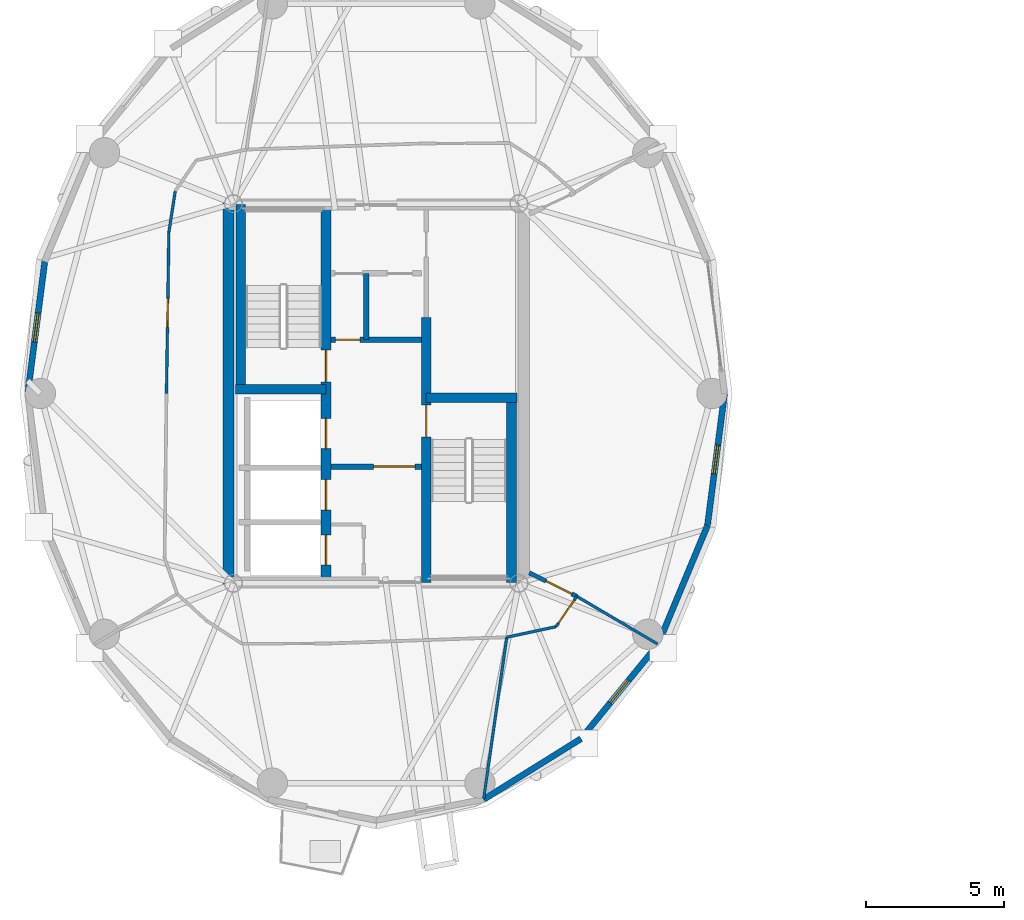
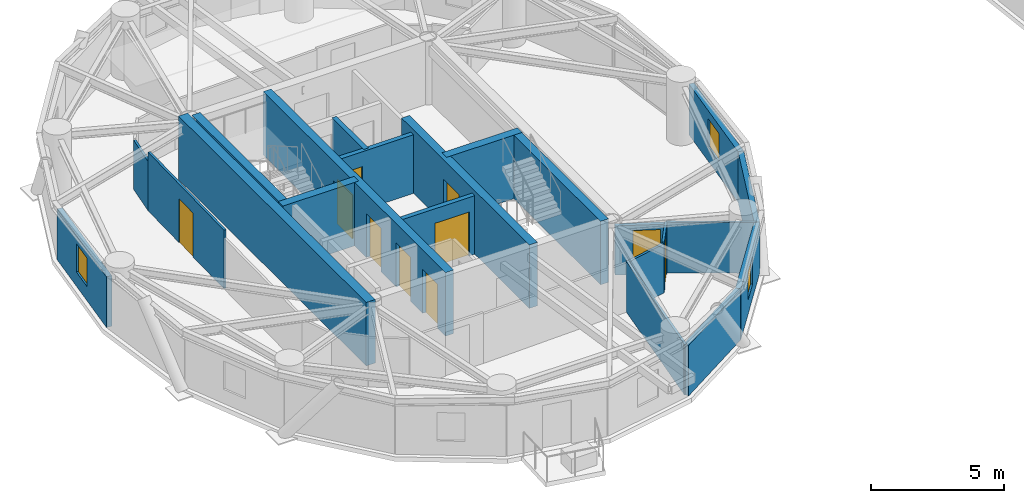
# One storey, part 9 of 16: 22 walls, 10 doors, 3 windows, 13 openings.
"""IFC4 building model written with IfcOpenShell, lengths in metres."""

from ifc_helpers import new_model, si_unit, direction, frame, frame_2d, origin, place, context, subcontext, project, spatial, rectangle, extrude, source, transform, mapped, material, layer, layer_set, type_object, element, fill, save


model = new_model("IFC4")

# Units and contexts
model_context = context("Model", 3, precision=1e-05, world=origin(), true_north=direction((0.0, 1.0)))
body_context = subcontext(model_context, "Body", "Model", "MODEL_VIEW")
ifc_project = project(units=[si_unit("LENGTHUNIT", "METRE"), si_unit("AREAUNIT", "SQUARE_METRE"), si_unit("VOLUMEUNIT", "CUBIC_METRE"), si_unit("PLANEANGLEUNIT", "RADIAN"), si_unit("MASSUNIT", "GRAM", prefix="KILO")], contexts=[model_context])

# Site, building, storey
site_placement = place(None, origin())
site = spatial("IfcSite", under=ifc_project, at=site_placement, CompositionType="ELEMENT")
building_placement = place(site_placement, origin())
building = spatial("IfcBuilding", under=site, at=building_placement, Name="Cununo Teusaquillo Station Towers", CompositionType="ELEMENT")
storey_placement = place(building_placement, frame((0.0, 0.0, 196.659912109375)))
storey = spatial("IfcBuildingStorey", under=building, at=storey_placement, Name="L62", CompositionType="ELEMENT", Elevation=196.659912109375)

# Wall, openings, doors
ifc_material_1 = material(Name="Concrete C50/60", Category="concrete")
ifc_layer_1 = layer(ifc_material_1, 0.35009765625)
ifc_layer_set_1 = layer_set([ifc_layer_1], Name="Concrete C50/60")
wall_type_1 = type_object("IfcWallType", Name="WL-CORE-350", PredefinedType="SHEAR", material=ifc_layer_set_1)
wall_1_placement = place(storey_placement, frame((14.68505859375, 17.64990234375, 0.0), z_axis=(0.0, 0.0, 1.0), x_axis=(0.0, 1.0, 0.0)))
wall_1 = element("IfcWall", 1, at=wall_1_placement, inside=storey, type_object=wall_type_1, Name="L62 Tower A Core Shear Wall IW", PredefinedType="SHEAR", context=body_context, shape_type="SweptSolid", body=[
    extrude(rectangle(XDim=13.7001953125, YDim=0.35009765625, at=frame_2d((6.85009765625, 0.0))), origin(), (0.0, 0.0, 1.0), 2.91015625),
])
shared_shape_1 = source(origin(), body_context, "Body", "SweptSolid", [
    extrude(rectangle(XDim=1.10009765625, YDim=2.014892578125, at=frame_2d((0.550048828125, 1.00732421875))), frame((0.0, 0.18505859375, 0.0), z_axis=(0.0, -1.0, 0.0), x_axis=(1.0, 0.0, 0.0)), (0.0, 0.0, 1.0), 0.3701171875),
])
opening_1_placement = place(wall_1_placement, frame((4.85009765625, 0.0, 0.0)))
opening_1 = element("IfcOpeningElement", 2, at=opening_1_placement, cuts=wall_1, Name="Opening LD-01", PredefinedType="OPENING", context=body_context, shape_type="MappedRepresentation", body=[
    mapped(shared_shape_1, transform((0.0, 0.0, 0.0), x_axis=(1.0, 0.0, 0.0), y_axis=(0.0, 1.0, 0.0), z_axis=(0.0, 0.0, 1.0), scale=1.0)),
])
opening_2_placement = place(wall_1_placement, frame((0.625, 0.0, 0.0)))
opening_2 = element("IfcOpeningElement", 3, at=opening_2_placement, cuts=wall_1, Name="Opening LD-01", PredefinedType="OPENING", context=body_context, shape_type="MappedRepresentation", body=[
    mapped(shared_shape_1, transform((0.0, 0.0, 0.0), x_axis=(1.0, 0.0, 0.0), y_axis=(0.0, 1.0, 0.0), z_axis=(0.0, 0.0, 1.0), scale=1.0)),
])
opening_3_placement = place(wall_1_placement, frame((2.625, 0.0, 0.0)))
opening_3 = element("IfcOpeningElement", 4, at=opening_3_placement, cuts=wall_1, Name="Opening LD-01", PredefinedType="OPENING", context=body_context, shape_type="MappedRepresentation", body=[
    mapped(shared_shape_1, transform((0.0, 0.0, 0.0), x_axis=(1.0, 0.0, 0.0), y_axis=(0.0, 1.0, 0.0), z_axis=(0.0, 0.0, 1.0), scale=1.0)),
])
shared_shape_2 = source(origin(), body_context, "Body", "SweptSolid", [
    extrude(rectangle(XDim=1.14990234375, YDim=2.02001953125, at=frame_2d((0.574951171875, 1.010009765625))), frame((0.0, 0.18505859375, 0.0), z_axis=(0.0, -1.0, 0.0), x_axis=(1.0, 0.0, 0.0)), (0.0, 0.0, 1.0), 0.3701171875),
])
opening_4_placement = place(wall_1_placement, frame((7.27001953125, 0.0, 0.0)))
opening_4 = element("IfcOpeningElement", 5, at=opening_4_placement, cuts=wall_1, Name="Opening D-ST1", PredefinedType="OPENING", context=body_context, shape_type="MappedRepresentation", body=[
    mapped(shared_shape_2, transform((0.0, 0.0, 0.0), x_axis=(1.0, 0.0, 0.0), y_axis=(0.0, 1.0, 0.0), z_axis=(0.0, 0.0, 1.0), scale=1.0)),
])
ifc_material_2 = material(Name="Galvanised fire-rated hollow steel door assembly", Category="steel")
door_type_1 = type_object("IfcDoorType", Name="DR-LIFT-1100", OperationType="SLIDING_TO_LEFT", PredefinedType="DOOR", material=ifc_material_2)
shared_shape_3 = source(origin(), body_context, "Body", "SweptSolid", [
    extrude(rectangle(XDim=1.10009765625, YDim=2.014892578125, at=frame_2d((0.550048828125, 1.00732421875))), frame((0.0, 0.02490234375, 0.0), z_axis=(0.0, -1.0, 0.0), x_axis=(1.0, 0.0, 0.0)), (0.0, 0.0, 1.0), 0.050048828125),
])
door_1_placement = place(opening_1_placement, origin())
door_1 = element("IfcDoor", 6, at=door_1_placement, inside=storey, type_object=door_type_1, Name="L62 Lift FL-T1 Sliding Landing Door", OperationType="SLIDING_TO_LEFT", OverallHeight=2.014892578125, OverallWidth=1.10009765625, PredefinedType="DOOR", context=body_context, shape_type="MappedRepresentation", body=[
    mapped(shared_shape_3, transform((0.0, 0.0, 0.0), x_axis=(1.0, 0.0, 0.0), y_axis=(0.0, 1.0, 0.0), z_axis=(0.0, 0.0, 1.0), scale=1.0)),
])
fill(opening_1, door_1)
door_2_placement = place(opening_2_placement, origin())
door_2 = element("IfcDoor", 7, at=door_2_placement, inside=storey, type_object=door_type_1, Name="L62 Lift PL-T1-H1 Sliding Landing Door", OperationType="SLIDING_TO_LEFT", OverallHeight=2.014892578125, OverallWidth=1.10009765625, PredefinedType="DOOR", context=body_context, shape_type="MappedRepresentation", body=[
    mapped(shared_shape_3, transform((0.0, 0.0, 0.0), x_axis=(1.0, 0.0, 0.0), y_axis=(0.0, 1.0, 0.0), z_axis=(0.0, 0.0, 1.0), scale=1.0)),
])
fill(opening_2, door_2)
door_3_placement = place(opening_3_placement, origin())
door_3 = element("IfcDoor", 8, at=door_3_placement, inside=storey, type_object=door_type_1, Name="L62 Lift PL-T1-H2 Sliding Landing Door", OperationType="SLIDING_TO_RIGHT", OverallHeight=2.014892578125, OverallWidth=1.10009765625, PredefinedType="DOOR", context=body_context, shape_type="MappedRepresentation", body=[
    mapped(shared_shape_3, transform((0.0, 0.0, 0.0), x_axis=(1.0, 0.0, 0.0), y_axis=(0.0, 1.0, 0.0), z_axis=(0.0, 0.0, 1.0), scale=1.0)),
])
fill(opening_3, door_3)
ifc_material_3 = material(Name="Galvanised fire-rated hollow steel door assembly", Category="steel")
door_type_2 = type_object("IfcDoorType", Name="DR-STAIR-1150", OperationType="NOTDEFINED", PredefinedType="DOOR", material=ifc_material_3)
shared_shape_4 = source(origin(), body_context, "Body", "SweptSolid", [
    extrude(rectangle(XDim=1.14990234375, YDim=2.02001953125, at=frame_2d((0.574951171875, 1.010009765625))), frame((0.0, 0.02490234375, 0.0), z_axis=(0.0, -1.0, 0.0), x_axis=(1.0, 0.0, 0.0)), (0.0, 0.0, 1.0), 0.050048828125),
])
door_4_placement = place(opening_4_placement, origin())
door_4 = element("IfcDoor", 9, at=door_4_placement, inside=storey, type_object=door_type_2, Name="L62 Tower A Exit Stair 1 Fire Door", OperationType="SINGLE_SWING_RIGHT", OverallHeight=2.02001953125, OverallWidth=1.14990234375, PredefinedType="DOOR", context=body_context, shape_type="MappedRepresentation", body=[
    mapped(shared_shape_4, transform((0.0, 0.0, 0.0), x_axis=(1.0, 0.0, 0.0), y_axis=(0.0, 1.0, 0.0), z_axis=(0.0, 0.0, 1.0), scale=1.0)),
])
fill(opening_4, door_4)

# Wall, opening, door
wall_2_placement = place(storey_placement, frame((18.31494140625, 17.64990234375, 0.0), z_axis=(0.0, 0.0, 1.0), x_axis=(0.0, 1.0, 0.0)))
wall_2 = element("IfcWall", 10, at=wall_2_placement, inside=storey, type_object=wall_type_1, Name="L62 Tower A Core Shear Wall IE", PredefinedType="SHEAR", context=body_context, shape_type="SweptSolid", body=[
    extrude(rectangle(XDim=9.60009765625, YDim=0.35009765625, at=frame_2d((4.800048828125, 0.0))), origin(), (0.0, 0.0, 1.0), 2.91015625),
])
opening_5_placement = place(wall_2_placement, frame((5.280029296875, 0.0, 0.0)))
opening_5 = element("IfcOpeningElement", 11, at=opening_5_placement, cuts=wall_2, Name="Opening D-ST1", PredefinedType="OPENING", context=body_context, shape_type="MappedRepresentation", body=[
    mapped(shared_shape_2, transform((0.0, 0.0, 0.0), x_axis=(1.0, 0.0, 0.0), y_axis=(0.0, 1.0, 0.0), z_axis=(0.0, 0.0, 1.0), scale=1.0)),
])
door_5_placement = place(opening_5_placement, origin())
door_5 = element("IfcDoor", 12, at=door_5_placement, inside=storey, type_object=door_type_2, Name="L62 Tower A Exit Stair 2 Fire Door", OperationType="SINGLE_SWING_LEFT", OverallHeight=2.02001953125, OverallWidth=1.14990234375, PredefinedType="DOOR", context=body_context, shape_type="MappedRepresentation", body=[
    mapped(shared_shape_4, transform((0.0, 0.0, 0.0), x_axis=(1.0, 0.0, 0.0), y_axis=(0.0, 1.0, 0.0), z_axis=(0.0, 0.0, 1.0), scale=1.0)),
])
fill(opening_5, door_5)

# Walls
wall_3_placement = place(storey_placement, frame((11.594970703125, 24.655029296875, 0.0), z_axis=(0.0, 0.0, 1.0), x_axis=(0.0, 1.0, 0.0)))
element("IfcWall", 13, at=wall_3_placement, inside=storey, type_object=wall_type_1, Name="L62 Tower A Core Shear Wall ST1W", PredefinedType="SHEAR", context=body_context, shape_type="SweptSolid", body=[
    extrude(rectangle(XDim=6.695068359375, YDim=0.35009765625, at=frame_2d((3.34765625, 0.0))), origin(), (0.0, 0.0, 1.0), 2.91015625),
])
wall_4_placement = place(storey_placement, frame((11.39990234375, 24.655029296875, 0.0), z_axis=(0.0, 0.0, 1.0), x_axis=(1.0, 0.0, 0.0)))
element("IfcWall", 14, at=wall_4_placement, inside=storey, type_object=wall_type_1, Name="L62 Tower A Core Shear Wall ST1S", PredefinedType="SHEAR", context=body_context, shape_type="SweptSolid", body=[
    extrude(rectangle(XDim=3.28515625, YDim=0.35009765625, at=frame_2d((1.642578125, 0.0))), origin(), (0.0, 0.0, 1.0), 2.91015625),
])
wall_5_placement = place(storey_placement, frame((21.405029296875, 17.64990234375, 0.0), z_axis=(0.0, 0.0, 1.0), x_axis=(0.0, 1.0, 0.0)))
element("IfcWall", 15, at=wall_5_placement, inside=storey, type_object=wall_type_1, Name="L62 Tower A Core Shear Wall ST2E", PredefinedType="SHEAR", context=body_context, shape_type="SweptSolid", body=[
    extrude(rectangle(XDim=6.695068359375, YDim=0.35009765625, at=frame_2d((3.34765625, 0.0))), origin(), (0.0, 0.0, 1.0), 2.91015625),
])
wall_6_placement = place(storey_placement, frame((18.31494140625, 24.344970703125, 0.0), z_axis=(0.0, 0.0, 1.0), x_axis=(1.0, 0.0, 0.0)))
element("IfcWall", 16, at=wall_6_placement, inside=storey, type_object=wall_type_1, Name="L62 Tower A Core Shear Wall ST2N", PredefinedType="SHEAR", context=body_context, shape_type="SweptSolid", body=[
    extrude(rectangle(XDim=3.28515625, YDim=0.35009765625, at=frame_2d((1.642578125, 0.0))), origin(), (0.0, 0.0, 1.0), 2.91015625),
])
ifc_material_4 = material(Name="Concrete C50/60", Category="concrete")
ifc_layer_2 = layer(ifc_material_4, 0.39990234375)
ifc_layer_set_2 = layer_set([ifc_layer_2], Name="Concrete C50/60")
wall_type_2 = type_object("IfcWallType", Name="WL-CORE-400", PredefinedType="SHEAR", material=ifc_layer_set_2)
wall_7_placement = place(storey_placement, frame((11.14990234375, 17.449951171875, 0.0), z_axis=(0.0, 0.0, 1.0), x_axis=(0.0, 1.0, 0.0)))
element("IfcWall", 17, at=wall_7_placement, inside=storey, type_object=wall_type_2, Name="L62 Tower A Core Shear Wall W", PredefinedType="SHEAR", context=body_context, shape_type="SweptSolid", body=[
    extrude(rectangle(XDim=14.10009765625, YDim=0.39990234375, at=frame_2d((7.050048828125, 0.0))), origin(), (0.0, 0.0, 1.0), 2.91015625),
])

# Wall, opening, window
ifc_material_5 = material(Name="Precast concrete C40/50", Category="concrete")
ifc_layer_3 = layer(ifc_material_5, 0.219970703125)
ifc_layer_set_3 = layer_set([ifc_layer_3], Name="Precast concrete C40/50")
wall_type_3 = type_object("IfcWallType", Name="WL-EXT-220", PredefinedType="SOLIDWALL", material=ifc_layer_set_3)
wall_8_placement = place(storey_placement, frame((3.8701171875, 24.5, 0.0), z_axis=(0.0, 0.0, 1.0), x_axis=(0.128241318541, 0.991742993027, 0.0)))
wall_8 = element("IfcWall", 18, at=wall_8_placement, inside=storey, type_object=wall_type_3, Name="L62 Tower A Exterior Facade Wall C09", PredefinedType="SOLIDWALL", context=body_context, shape_type="SweptSolid", body=[
    extrude(rectangle(XDim=4.8203125, YDim=0.219970703125, at=frame_2d((2.41015625, 0.0))), origin(), (0.0, 0.0, 1.0), 2.322021484375),
])
shared_shape_5 = source(origin(), body_context, "Body", "SweptSolid", [
    extrude(rectangle(XDim=1.050048828125, YDim=1.300048828125, at=frame_2d((0.52490234375, 0.64990234375))), frame((0.0, 0.119873046875, 0.0), z_axis=(0.0, -1.0, 0.0), x_axis=(1.0, 0.0, 0.0)), (0.0, 0.0, 1.0), 0.239990234375),
])
opening_6_placement = place(wall_8_placement, frame((1.885009765625, 0.0, 0.64990234375)))
opening_6 = element("IfcOpeningElement", 19, at=opening_6_placement, cuts=wall_8, Name="Opening WN-04", PredefinedType="OPENING", context=body_context, shape_type="MappedRepresentation", body=[
    mapped(shared_shape_5, transform((0.0, 0.0, 0.0), x_axis=(1.0, 0.0, 0.0), y_axis=(0.0, 1.0, 0.0), z_axis=(0.0, 0.0, 1.0), scale=1.0)),
])
ifc_material_6 = material(Name="Operable acoustic tinted low-E double glazing", Category="glass")
window_type = type_object("IfcWindowType", Name="WIN-BAL-1050", PartitioningType="SINGLE_PANEL", PredefinedType="WINDOW", material=ifc_material_6)
shared_shape_6 = source(origin(), body_context, "Body", "SweptSolid", [
    extrude(rectangle(XDim=1.050048828125, YDim=1.300048828125, at=frame_2d((0.52490234375, 0.64990234375))), frame((0.0, 0.030029296875, 0.0), z_axis=(0.0, -1.0, 0.0), x_axis=(1.0, 0.0, 0.0)), (0.0, 0.0, 1.0), 0.06005859375),
])
window_1_placement = place(opening_6_placement, origin())
window_1 = element("IfcWindow", 20, at=window_1_placement, inside=storey, type_object=window_type, Name="L62 Tower A Facade Window C09", OverallHeight=1.300048828125, OverallWidth=1.050048828125, PartitioningType="SINGLE_PANEL", PredefinedType="WINDOW", context=body_context, shape_type="MappedRepresentation", body=[
    mapped(shared_shape_6, transform((0.0, 0.0, 0.0), x_axis=(1.0, 0.0, 0.0), y_axis=(0.0, 1.0, 0.0), z_axis=(0.0, 0.0, 1.0), scale=1.0)),
])
fill(opening_6, window_1)

# Wall
wall_9_placement = place(storey_placement, frame((23.923583984375, 11.984619140625, 0.0), z_axis=(0.0, 0.0, 1.0), x_axis=(-0.848318713376, -0.529485939886, 0.0)))
element("IfcWall", 21, at=wall_9_placement, inside=storey, type_object=wall_type_3, Name="L62 Tower A Exterior Facade Wall C16", PredefinedType="SOLIDWALL", context=body_context, shape_type="SweptSolid", body=[
    extrude(rectangle(XDim=4.150390625, YDim=0.219970703125, at=frame_2d((2.0751953125, 0.0))), origin(), (0.0, 0.0, 1.0), 2.322021484375),
])

# Wall, opening, window
wall_10_placement = place(storey_placement, frame((26.718017578125, 15.406982421875, 0.0), z_axis=(0.0, 0.0, 1.0), x_axis=(-0.632467166636, -0.774587169483, 0.0)))
wall_10 = element("IfcWall", 22, at=wall_10_placement, inside=storey, type_object=wall_type_3, Name="L62 Tower A Exterior Facade Wall C17", PredefinedType="SOLIDWALL", context=body_context, shape_type="SweptSolid", body=[
    extrude(rectangle(XDim=4.418212890625, YDim=0.219970703125, at=frame_2d((2.208984375, 0.0))), origin(), (0.0, 0.0, 1.0), 2.322021484375),
])
opening_7_placement = place(wall_10_placement, frame((1.68408203125, 0.0, 0.64990234375)))
opening_7 = element("IfcOpeningElement", 23, at=opening_7_placement, cuts=wall_10, Name="Opening WN-04", PredefinedType="OPENING", context=body_context, shape_type="MappedRepresentation", body=[
    mapped(shared_shape_5, transform((0.0, 0.0, 0.0), x_axis=(1.0, 0.0, 0.0), y_axis=(0.0, 1.0, 0.0), z_axis=(0.0, 0.0, 1.0), scale=1.0)),
])
window_2_placement = place(opening_7_placement, origin())
window_2 = element("IfcWindow", 24, at=window_2_placement, inside=storey, type_object=window_type, Name="L62 Tower A Facade Window C17", OverallHeight=1.300048828125, OverallWidth=1.050048828125, PartitioningType="SINGLE_PANEL", PredefinedType="WINDOW", context=body_context, shape_type="MappedRepresentation", body=[
    mapped(shared_shape_6, transform((0.0, 0.0, 0.0), x_axis=(1.0, 0.0, 0.0), y_axis=(0.0, 1.0, 0.0), z_axis=(0.0, 0.0, 1.0), scale=1.0)),
])
fill(opening_7, window_2)

# Wall
wall_11_placement = place(storey_placement, frame((28.51171875, 19.719482421875, 0.0), z_axis=(0.0, 0.0, 1.0), x_axis=(-0.384036305194, -0.923317993052, 0.0)))
element("IfcWall", 25, at=wall_11_placement, inside=storey, type_object=wall_type_3, Name="L62 Tower A Exterior Facade Wall C18", PredefinedType="SOLIDWALL", context=body_context, shape_type="SweptSolid", body=[
    extrude(rectangle(XDim=4.670654296875, YDim=0.219970703125, at=frame_2d((2.33544921875, 0.0))), origin(), (0.0, 0.0, 1.0), 2.322021484375),
])

# Wall, opening, window
wall_12_placement = place(storey_placement, frame((29.1298828125, 24.5, 0.0), z_axis=(0.0, 0.0, 1.0), x_axis=(-0.128241318541, -0.991742993027, 0.0)))
wall_12 = element("IfcWall", 26, at=wall_12_placement, inside=storey, type_object=wall_type_3, Name="L62 Tower A Exterior Facade Wall C19", PredefinedType="SOLIDWALL", context=body_context, shape_type="SweptSolid", body=[
    extrude(rectangle(XDim=4.8203125, YDim=0.219970703125, at=frame_2d((2.41015625, 0.0))), origin(), (0.0, 0.0, 1.0), 2.322021484375),
])
opening_8_placement = place(wall_12_placement, frame((1.885009765625, 0.0, 0.64990234375)))
opening_8 = element("IfcOpeningElement", 27, at=opening_8_placement, cuts=wall_12, Name="Opening WN-04", PredefinedType="OPENING", context=body_context, shape_type="MappedRepresentation", body=[
    mapped(shared_shape_5, transform((0.0, 0.0, 0.0), x_axis=(1.0, 0.0, 0.0), y_axis=(0.0, 1.0, 0.0), z_axis=(0.0, 0.0, 1.0), scale=1.0)),
])
window_3_placement = place(opening_8_placement, origin())
window_3 = element("IfcWindow", 28, at=window_3_placement, inside=storey, type_object=window_type, Name="L62 Tower A Facade Window C19", OverallHeight=1.300048828125, OverallWidth=1.050048828125, PartitioningType="SINGLE_PANEL", PredefinedType="WINDOW", context=body_context, shape_type="MappedRepresentation", body=[
    mapped(shared_shape_6, transform((0.0, 0.0, 0.0), x_axis=(1.0, 0.0, 0.0), y_axis=(0.0, 1.0, 0.0), z_axis=(0.0, 0.0, 1.0), scale=1.0)),
])
fill(opening_8, window_3)

# Wall
ifc_material_7 = material(Name="Fire-rated gypsum plasterboard partition assembly", Category="gypsum")
ifc_layer_4 = layer(ifc_material_7, 0.10009765625)
ifc_layer_set_4 = layer_set([ifc_layer_4], Name="Fire-rated gypsum plasterboard partition assembly")
wall_type_4 = type_object("IfcWallType", Name="WL-PART-100", PredefinedType="MOVABLE", material=ifc_layer_set_4)
wall_13_placement = place(storey_placement, frame((9.218505859375, 31.837646484375, 0.0), z_axis=(0.0, 0.0, 1.0), x_axis=(-0.154065528966, -0.98806063214, 0.0)))
element("IfcWall", 29, at=wall_13_placement, inside=storey, type_object=wall_type_4, Name="L62 Tower A Corridor Ring Wall C08", PredefinedType="MOVABLE", context=body_context, shape_type="SweptSolid", body=[
    extrude(rectangle(XDim=1.507080078125, YDim=0.10009765625, at=frame_2d((0.75341796875, 0.0))), origin(), (0.0, 0.0, 1.0), 2.255126953125),
])

# Wall, opening, door
wall_14_placement = place(storey_placement, frame((8.986328125, 30.3486328125, 0.0), z_axis=(0.0, 0.0, 1.0), x_axis=(-0.014775478218, -0.999890836663, 0.0)))
wall_14 = element("IfcWall", 30, at=wall_14_placement, inside=storey, type_object=wall_type_4, Name="L62 Tower A Corridor Ring Wall C09", PredefinedType="MOVABLE", context=body_context, shape_type="SweptSolid", body=[
    extrude(rectangle(XDim=5.849365234375, YDim=0.10009765625, at=frame_2d((2.9248046875, 0.0))), origin(), (0.0, 0.0, 1.0), 2.68505859375),
])
shared_shape_7 = source(origin(), body_context, "Body", "SweptSolid", [
    extrude(rectangle(XDim=1.050048828125, YDim=2.014892578125, at=frame_2d((0.52490234375, 1.00732421875))), frame((0.0, 0.06005859375, 0.0), z_axis=(0.0, -1.0, 0.0), x_axis=(1.0, 0.0, 0.0)), (0.0, 0.0, 1.0), 0.1201171875),
])
opening_9_placement = place(wall_14_placement, frame((2.399658203125, 0.0, 0.0)))
opening_9 = element("IfcOpeningElement", 31, at=opening_9_placement, cuts=wall_14, Name="Opening D-SU1", PredefinedType="OPENING", context=body_context, shape_type="MappedRepresentation", body=[
    mapped(shared_shape_7, transform((0.0, 0.0, 0.0), x_axis=(1.0, 0.0, 0.0), y_axis=(0.0, 1.0, 0.0), z_axis=(0.0, 0.0, 1.0), scale=1.0)),
])
ifc_material_8 = material(Name="Acoustic solid-core hardwood leaf assembly", Category="wood")
door_type_3 = type_object("IfcDoorType", Name="DR-SUITE-1050", OperationType="NOTDEFINED", PredefinedType="DOOR", material=ifc_material_8)
shared_shape_8 = source(origin(), body_context, "Body", "SweptSolid", [
    extrude(rectangle(XDim=1.050048828125, YDim=2.014892578125, at=frame_2d((0.52490234375, 1.00732421875))), frame((0.0, 0.02490234375, 0.0), z_axis=(0.0, -1.0, 0.0), x_axis=(1.0, 0.0, 0.0)), (0.0, 0.0, 1.0), 0.050048828125),
])
door_6_placement = place(opening_9_placement, origin())
door_6 = element("IfcDoor", 32, at=door_6_placement, inside=storey, type_object=door_type_3, Name="L62 Tower A Sovereign Advisory Boardroom Entrance Door", OperationType="SINGLE_SWING_RIGHT", OverallHeight=2.014892578125, OverallWidth=1.050048828125, PredefinedType="DOOR", context=body_context, shape_type="MappedRepresentation", body=[
    mapped(shared_shape_8, transform((0.0, 0.0, 0.0), x_axis=(1.0, 0.0, 0.0), y_axis=(0.0, 1.0, 0.0), z_axis=(0.0, 0.0, 1.0), scale=1.0)),
])
fill(opening_9, door_6)

# Wall
wall_15_placement = place(storey_placement, frame((21.23388671875, 15.664306640625, 0.0), z_axis=(0.0, 0.0, 1.0), x_axis=(0.977931581182, 0.208925399431, 0.0)))
element("IfcWall", 33, at=wall_15_placement, inside=storey, type_object=wall_type_4, Name="L62 Tower A Corridor Ring Wall C16", PredefinedType="MOVABLE", context=body_context, shape_type="SweptSolid", body=[
    extrude(rectangle(XDim=1.822998046875, YDim=0.10009765625, at=frame_2d((0.91162109375, 0.0))), origin(), (0.0, 0.0, 1.0), 2.255126953125),
])

# Wall, opening, door
wall_16_placement = place(storey_placement, frame((23.0166015625, 16.045166015625, 0.0), z_axis=(0.0, 0.0, 1.0), x_axis=(0.566660656138, 0.823951273308, 0.0)))
wall_16 = element("IfcWall", 34, at=wall_16_placement, inside=storey, type_object=wall_type_4, Name="L62 Tower A Corridor Ring Wall C17", PredefinedType="MOVABLE", context=body_context, shape_type="SweptSolid", body=[
    extrude(rectangle(XDim=1.3359375, YDim=0.10009765625, at=frame_2d((0.66796875, 0.0))), origin(), (0.0, 0.0, 1.0), 2.322021484375),
])
shared_shape_9 = source(origin(), body_context, "Body", "SweptSolid", [
    extrude(rectangle(XDim=1.0, YDim=2.014892578125, at=frame_2d((0.5, 1.00732421875))), frame((0.0, 0.06005859375, 0.0), z_axis=(0.0, -1.0, 0.0), x_axis=(1.0, 0.0, 0.0)), (0.0, 0.0, 1.0), 0.1201171875),
])
opening_10_placement = place(wall_16_placement, frame((0.16796875, 0.0, 0.0)))
opening_10 = element("IfcOpeningElement", 35, at=opening_10_placement, cuts=wall_16, Name="Opening D-AC1", PredefinedType="OPENING", context=body_context, shape_type="MappedRepresentation", body=[
    mapped(shared_shape_9, transform((0.0, 0.0, 0.0), x_axis=(1.0, 0.0, 0.0), y_axis=(0.0, 1.0, 0.0), z_axis=(0.0, 0.0, 1.0), scale=1.0)),
])
ifc_material_9 = material(Name="Acoustic solid-core hardwood leaf assembly", Category="wood")
door_type_4 = type_object("IfcDoorType", Name="DR-ACC-1000", OperationType="NOTDEFINED", PredefinedType="DOOR", material=ifc_material_9)
shared_shape_10 = source(origin(), body_context, "Body", "SweptSolid", [
    extrude(rectangle(XDim=1.0, YDim=2.014892578125, at=frame_2d((0.5, 1.00732421875))), frame((0.0, 0.02490234375, 0.0), z_axis=(0.0, -1.0, 0.0), x_axis=(1.0, 0.0, 0.0)), (0.0, 0.0, 1.0), 0.050048828125),
])
door_7_placement = place(opening_10_placement, origin())
door_7 = element("IfcDoor", 36, at=door_7_placement, inside=storey, type_object=door_type_4, Name="L62 Tower A Public Accessible Restroom WC Entrance Door", OperationType="SINGLE_SWING_RIGHT", OverallHeight=2.014892578125, OverallWidth=1.0, PredefinedType="DOOR", context=body_context, shape_type="MappedRepresentation", body=[
    mapped(shared_shape_10, transform((0.0, 0.0, 0.0), x_axis=(1.0, 0.0, 0.0), y_axis=(0.0, 1.0, 0.0), z_axis=(0.0, 0.0, 1.0), scale=1.0)),
])
fill(opening_10, door_7)

# Walls
wall_17_placement = place(storey_placement, frame((21.23388671875, 15.664306640625, 0.0), z_axis=(0.0, 0.0, 1.0), x_axis=(-0.141467563045, -0.989942891588, 0.0)))
element("IfcWall", 37, at=wall_17_placement, inside=storey, type_object=wall_type_4, Name="L62 Tower A Radial Suite Partition R04", PredefinedType="MOVABLE", context=body_context, shape_type="SweptSolid", body=[
    extrude(rectangle(XDim=5.917724609375, YDim=0.10009765625, at=frame_2d((2.958984375, 0.0))), origin(), (0.0, 0.0, 1.0), 2.322021484375),
])
wall_18_placement = place(storey_placement, frame((23.773681640625, 17.14599609375, 0.0), z_axis=(0.0, 0.0, 1.0), x_axis=(0.861296601099, -0.508102514198, 0.0)))
element("IfcWall", 38, at=wall_18_placement, inside=storey, type_object=wall_type_4, Name="L62 Tower A Radial Suite Partition R05", PredefinedType="MOVABLE", context=body_context, shape_type="SweptSolid", body=[
    extrude(rectangle(XDim=3.3994140625, YDim=0.10009765625, at=frame_2d((1.69970703125, 0.0))), origin(), (0.0, 0.0, 1.0), 2.322021484375),
])

# Wall, opening, door
ifc_material_10 = material(Name="Fire-rated gypsum plasterboard partition assembly", Category="gypsum")
ifc_layer_5 = layer(ifc_material_10, 0.159912109375)
ifc_layer_set_5 = layer_set([ifc_layer_5], Name="Fire-rated gypsum plasterboard partition assembly")
wall_type_5 = type_object("IfcWallType", Name="WL-PART-160", PredefinedType="PARTITIONING", material=ifc_layer_set_5)
wall_19_placement = place(storey_placement, frame((22.050048828125, 18.0, 0.0), z_axis=(0.0, 0.0, 1.0), x_axis=(0.896045848613, -0.443961526692, 0.0)))
wall_19 = element("IfcWall", 39, at=wall_19_placement, inside=storey, type_object=wall_type_5, Name="L62 Tower A East Salon Corridor Portal Wall SE", PredefinedType="PARTITIONING", context=body_context, shape_type="SweptSolid", body=[
    extrude(rectangle(XDim=1.923583984375, YDim=0.159912109375, at=frame_2d((0.9619140625, 0.0))), origin(), (0.0, 0.0, 1.0), 2.255126953125),
])
shared_shape_11 = source(origin(), body_context, "Body", "SweptSolid", [
    extrude(rectangle(XDim=1.050048828125, YDim=2.014892578125, at=frame_2d((0.52490234375, 1.00732421875))), frame((0.0, 0.08984375, 0.0), z_axis=(0.0, -1.0, 0.0), x_axis=(1.0, 0.0, 0.0)), (0.0, 0.0, 1.0), 0.179931640625),
])
opening_11_placement = place(wall_19_placement, frame((0.673583984375, 0.0, 0.0)))
opening_11 = element("IfcOpeningElement", 40, at=opening_11_placement, cuts=wall_19, Name="Opening D-SU1", PredefinedType="OPENING", context=body_context, shape_type="MappedRepresentation", body=[
    mapped(shared_shape_11, transform((0.0, 0.0, 0.0), x_axis=(1.0, 0.0, 0.0), y_axis=(0.0, 1.0, 0.0), z_axis=(0.0, 0.0, 1.0), scale=1.0)),
])
door_8_placement = place(opening_11_placement, origin())
door_8 = element("IfcDoor", 41, at=door_8_placement, inside=storey, type_object=door_type_3, Name="L62 Tower A East Panorama Sky Salon Door SE", OperationType="SINGLE_SWING_RIGHT", OverallHeight=2.014892578125, OverallWidth=1.050048828125, PredefinedType="DOOR", context=body_context, shape_type="MappedRepresentation", body=[
    mapped(shared_shape_8, transform((0.0, 0.0, 0.0), x_axis=(1.0, 0.0, 0.0), y_axis=(0.0, 1.0, 0.0), z_axis=(0.0, 0.0, 1.0), scale=1.0)),
])
fill(opening_11, door_8)

ifc_material_11 = material(Name="Fire-rated gypsum plasterboard partition assembly", Category="gypsum")
ifc_layer_6 = layer(ifc_material_11, 0.199951171875)
ifc_layer_set_6 = layer_set([ifc_layer_6], Name="Fire-rated gypsum plasterboard partition assembly")
wall_type_6 = type_object("IfcWallType", Name="WL-PART-200", PredefinedType="PARTITIONING", material=ifc_layer_set_6)
wall_20_placement = place(storey_placement, frame((14.860107421875, 21.85009765625, 0.0), z_axis=(0.0, 0.0, 1.0), x_axis=(1.0, 0.0, 0.0)))
wall_20 = element("IfcWall", 42, at=wall_20_placement, inside=storey, type_object=wall_type_6, Name="L62 Tower A Firefighting Lift Lobby South Fire Wall", PredefinedType="PARTITIONING", context=body_context, shape_type="SweptSolid", body=[
    extrude(rectangle(XDim=3.27978515625, YDim=0.199951171875, at=frame_2d((1.639892578125, 0.0))), origin(), (0.0, 0.0, 1.0), 2.68505859375),
])
shared_shape_12 = source(origin(), body_context, "Body", "SweptSolid", [
    extrude(rectangle(XDim=1.5, YDim=2.02001953125, at=frame_2d((0.75, 1.010009765625))), frame((0.0, 0.10986328125, 0.0), z_axis=(0.0, -1.0, 0.0), x_axis=(1.0, 0.0, 0.0)), (0.0, 0.0, 1.0), 0.219970703125),
])
opening_12_placement = place(wall_20_placement, frame((1.550048828125, 0.0, 0.0)))
opening_12 = element("IfcOpeningElement", 43, at=opening_12_placement, cuts=wall_20, Name="Opening D-LB1", PredefinedType="OPENING", context=body_context, shape_type="MappedRepresentation", body=[
    mapped(shared_shape_12, transform((0.0, 0.0, 0.0), x_axis=(1.0, 0.0, 0.0), y_axis=(0.0, 1.0, 0.0), z_axis=(0.0, 0.0, 1.0), scale=1.0)),
])
ifc_material_12 = material(Name="Galvanised fire-rated hollow steel door assembly", Category="steel")
door_type_5 = type_object("IfcDoorType", Name="DR-LOBBY-1500", OperationType="DOUBLE_DOOR_SINGLE_SWING", PredefinedType="DOOR", material=ifc_material_12)
shared_shape_13 = source(origin(), body_context, "Body", "SweptSolid", [
    extrude(rectangle(XDim=1.5, YDim=2.02001953125, at=frame_2d((0.75, 1.010009765625))), frame((0.0, 0.02490234375, 0.0), z_axis=(0.0, -1.0, 0.0), x_axis=(1.0, 0.0, 0.0)), (0.0, 0.0, 1.0), 0.050048828125),
])
door_9_placement = place(opening_12_placement, origin())
door_9 = element("IfcDoor", 44, at=door_9_placement, inside=storey, type_object=door_type_5, Name="L62 Tower A Firefighting Lift Lobby South Fire Door", OperationType="DOUBLE_DOOR_SINGLE_SWING", OverallHeight=2.02001953125, OverallWidth=1.5, PredefinedType="DOOR", context=body_context, shape_type="MappedRepresentation", body=[
    mapped(shared_shape_13, transform((0.0, 0.0, 0.0), x_axis=(1.0, 0.0, 0.0), y_axis=(0.0, 1.0, 0.0), z_axis=(0.0, 0.0, 1.0), scale=1.0)),
])
fill(opening_12, door_9)

wall_21_placement = place(storey_placement, frame((14.860107421875, 26.449951171875, 0.0), z_axis=(0.0, 0.0, 1.0), x_axis=(1.0, 0.0, 0.0)))
wall_21 = element("IfcWall", 45, at=wall_21_placement, inside=storey, type_object=wall_type_6, Name="L62 Tower A Firefighting Lift Lobby North Fire Wall", PredefinedType="PARTITIONING", context=body_context, shape_type="SweptSolid", body=[
    extrude(rectangle(XDim=3.27978515625, YDim=0.199951171875, at=frame_2d((1.639892578125, 0.0))), origin(), (0.0, 0.0, 1.0), 2.68505859375),
])
shared_shape_14 = source(origin(), body_context, "Body", "SweptSolid", [
    extrude(rectangle(XDim=0.89990234375, YDim=2.0048828125, at=frame_2d((0.449951171875, 1.00244140625))), frame((0.0, 0.10986328125, 0.0), z_axis=(0.0, -1.0, 0.0), x_axis=(1.0, 0.0, 0.0)), (0.0, 0.0, 1.0), 0.219970703125),
])
opening_13_placement = place(wall_21_placement, frame((0.159912109375, 0.0, 0.0)))
opening_13 = element("IfcOpeningElement", 46, at=opening_13_placement, cuts=wall_21, Name="Opening D-SR1", PredefinedType="OPENING", context=body_context, shape_type="MappedRepresentation", body=[
    mapped(shared_shape_14, transform((0.0, 0.0, 0.0), x_axis=(1.0, 0.0, 0.0), y_axis=(0.0, 1.0, 0.0), z_axis=(0.0, 0.0, 1.0), scale=1.0)),
])
ifc_material_13 = material(Name="Galvanised fire-rated hollow steel door assembly", Category="steel")
door_type_6 = type_object("IfcDoorType", Name="DR-STORE-900", OperationType="NOTDEFINED", PredefinedType="DOOR", material=ifc_material_13)
shared_shape_15 = source(origin(), body_context, "Body", "SweptSolid", [
    extrude(rectangle(XDim=0.89990234375, YDim=2.0048828125, at=frame_2d((0.449951171875, 1.00244140625))), frame((0.0, 0.02490234375, 0.0), z_axis=(0.0, -1.0, 0.0), x_axis=(1.0, 0.0, 0.0)), (0.0, 0.0, 1.0), 0.050048828125),
])
door_10_placement = place(opening_13_placement, origin())
door_10 = element("IfcDoor", 47, at=door_10_placement, inside=storey, type_object=door_type_6, Name="L62 Tower A Stair 1 Protected Vestibule South Door", OperationType="SINGLE_SWING_RIGHT", OverallHeight=2.0048828125, OverallWidth=0.89990234375, PredefinedType="DOOR", context=body_context, shape_type="MappedRepresentation", body=[
    mapped(shared_shape_15, transform((0.0, 0.0, 0.0), x_axis=(1.0, 0.0, 0.0), y_axis=(0.0, 1.0, 0.0), z_axis=(0.0, 0.0, 1.0), scale=1.0)),
])
fill(opening_13, door_10)

# Wall
wall_22_placement = place(storey_placement, frame((16.14990234375, 26.449951171875, 0.0), z_axis=(0.0, 0.0, 1.0), x_axis=(0.0, 1.0, 0.0)))
element("IfcWall", 48, at=wall_22_placement, inside=storey, type_object=wall_type_6, Name="L62 Tower A Stair 1 Vestibule Partition Wall", PredefinedType="PARTITIONING", context=body_context, shape_type="SweptSolid", body=[
    extrude(rectangle(XDim=2.400146484375, YDim=0.199951171875, at=frame_2d((1.2001953125, 0.0))), origin(), (0.0, 0.0, 1.0), 2.68505859375),
])

save(model, "model.ifc")
